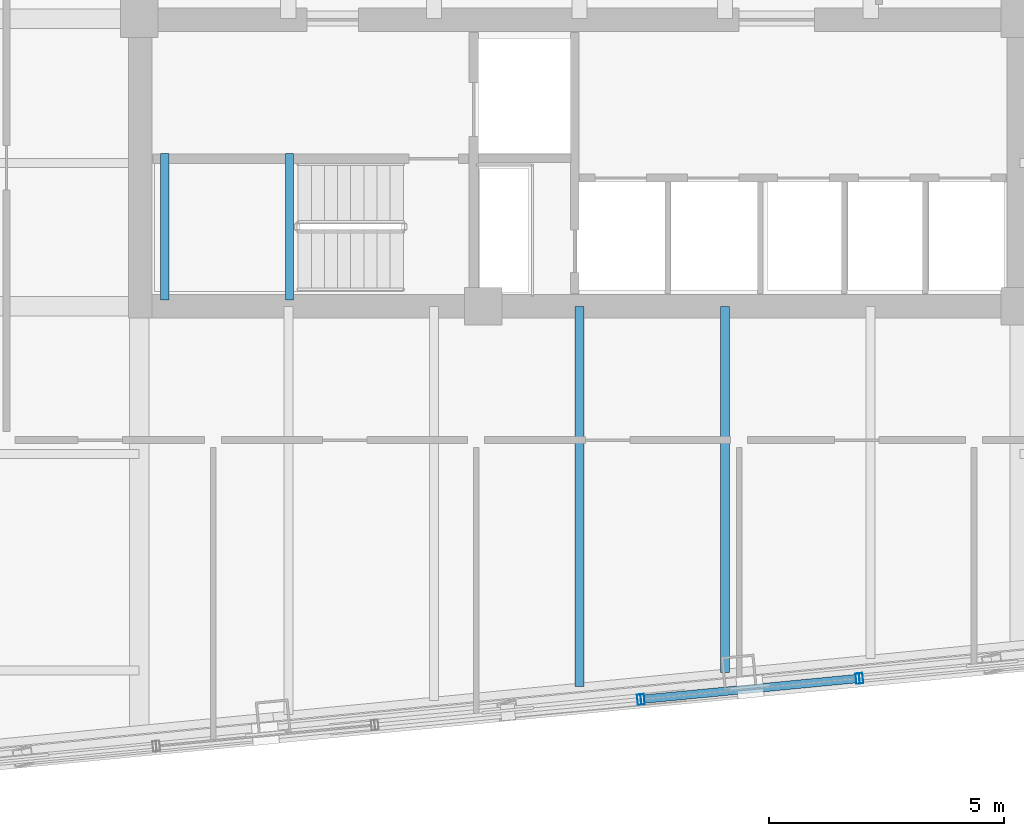
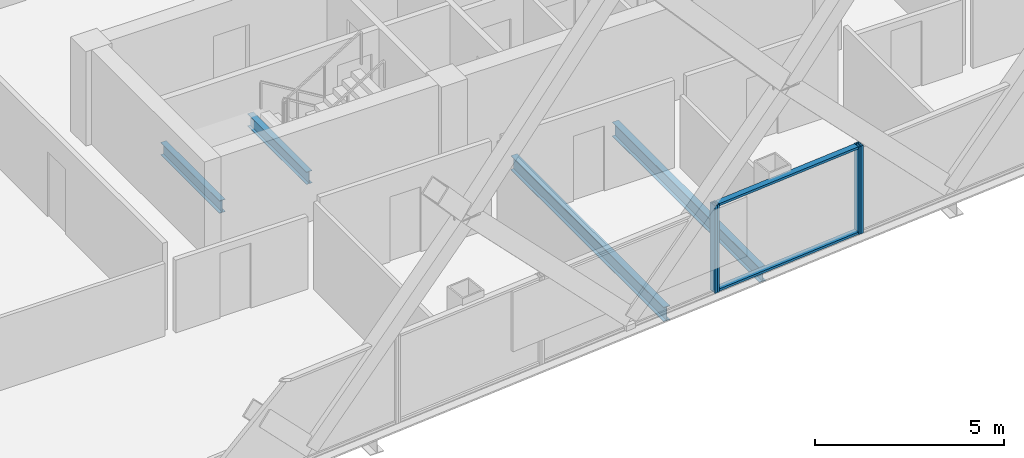
# One storey, part 7 of 34: 6 members, 4 beams, 3 elements without a shape of their own.
"""IFC4 building model written with IfcOpenShell, lengths in metres."""

from ifc_helpers import new_model, si_unit, direction, frame, origin, origin_2d, place, context, subcontext, project, spatial, hollow_rectangle, i_section, extrude, material, layer, layer_set, material_profile, profile_set, type_object, element, aggregate, save


model = new_model("IFC4")

# Units and contexts
model_context = context("Model", 3, precision=1e-05, world=origin(), true_north=direction((0.0, 1.0)))
body_context = subcontext(model_context, "Body", "Model", "MODEL_VIEW")
ifc_project = project(units=[si_unit("LENGTHUNIT", "METRE"), si_unit("AREAUNIT", "SQUARE_METRE"), si_unit("VOLUMEUNIT", "CUBIC_METRE"), si_unit("PLANEANGLEUNIT", "RADIAN"), si_unit("MASSUNIT", "GRAM", prefix="KILO")], contexts=[model_context])

# Site, building, storey
site_placement = place(None, origin())
site = spatial("IfcSite", under=ifc_project, at=site_placement, CompositionType="ELEMENT")
building_placement = place(site_placement, origin())
building = spatial("IfcBuilding", under=site, at=building_placement, Name="Qhalaya Broadcast Tower", CompositionType="ELEMENT")
storey_placement = place(building_placement, frame((0.0, 0.0, 168.35009765625)))
storey = spatial("IfcBuildingStorey", under=building, at=storey_placement, Name="L49", CompositionType="ELEMENT", Elevation=168.35009765625)

# Beams
ifc_material_1 = material(Name="Structural Steel ASTM A992 Grade 50", Category="steel")
ifc_material_profile_1 = material_profile(ifc_material_1, i_section(OverallWidth=0.19189453125, OverallDepth=0.462890625, WebThickness=0.010498046875, FlangeThickness=0.017578125, at=origin_2d()), Name="W18X60")
ifc_profile_set_1 = profile_set([ifc_material_profile_1], Name="Structural Steel ASTM A992 Grade 50")
beam_type_1 = type_object("IfcBeamType", Name="Composite Floor Joist J03", PredefinedType="JOIST", material=ifc_profile_set_1)
beam_1_placement = place(storey_placement, frame((0.0, -16.844482421875, -0.45166015625), z_axis=(0.0, 1.0, 0.0), x_axis=(-1.0, 0.0, 0.0)))
element("IfcBeam", 1, at=beam_1_placement, inside=storey, type_object=beam_type_1, Name="L49 J03 L49-JNS3-1", PredefinedType="JOIST", context=body_context, shape_type="SweptSolid", body=[
    extrude(i_section(OverallWidth=0.19189453125, OverallDepth=0.462890625, WebThickness=0.010498046875, FlangeThickness=0.017578125, at=origin_2d()), origin(), (0.0, 0.0, 1.0), 8.094482421875),
])
beam_2_placement = place(storey_placement, frame((3.10009765625, -16.546142578125, -0.45166015625), z_axis=(0.0, 1.0, 0.0), x_axis=(-1.0, 0.0, 0.0)))
element("IfcBeam", 2, at=beam_2_placement, inside=storey, type_object=beam_type_1, Name="L49 J03 L49-JNS4-1", PredefinedType="JOIST", context=body_context, shape_type="SweptSolid", body=[
    extrude(i_section(OverallWidth=0.19189453125, OverallDepth=0.462890625, WebThickness=0.010498046875, FlangeThickness=0.017578125, at=origin_2d()), origin(), (0.0, 0.0, 1.0), 7.796142578125),
])

# Curtain wall, member
ifc_material_2 = material(Name="Fired Architectural Terracotta", Category="masonry")
ifc_layer_1 = layer(ifc_material_2, 0.219970703125, Name="Fired Architectural Terracotta")
ifc_layer_set_1 = layer_set([ifc_layer_1], Name="Fired Architectural Terracotta")
curtain_wall_type_1 = type_object("IfcCurtainWallType", Name="Block-Cap Unitised Terracotta Spandrel Wall CW-07", PredefinedType="NOTDEFINED", material=ifc_layer_set_1)
curtain_wall_1_placement = place(storey_placement, origin())
curtain_wall_1 = element("IfcCurtainWall", 3, at=curtain_wall_1_placement, inside=storey, type_object=curtain_wall_type_1, Name="L49 Unitised Curtain Wall L49-CW-S3", PredefinedType="NOTDEFINED")
ifc_material_3 = material(Name="Anodised Aluminium 6063-T6", Category="aluminium")
ifc_material_profile_2 = material_profile(ifc_material_3, hollow_rectangle(XDim=0.074951171875, YDim=0.219970703125, WallThickness=0.00390625, at=origin_2d()), Name="ALU-MUL 75x220x4")
ifc_profile_set_2 = profile_set([ifc_material_profile_2], Name="Anodised Aluminium 6063-T6")
member_type_1 = type_object("IfcMemberType", Name="Unitised Curtain-Wall Mullion M01", PredefinedType="MULLION", material=ifc_profile_set_2)
member_1_placement = place(storey_placement, frame((1.271240234375, -17.1240234375, 0.0), z_axis=(0.0, 0.0, 1.0), x_axis=(0.995395435525, 0.095853674613, 0.0)))
member_1 = element("IfcMember", 4, at=member_1_placement, type_object=member_type_1, Name="CW-07 mullion 2", PredefinedType="MULLION", context=body_context, shape_type="SweptSolid", body=[
    extrude(hollow_rectangle(XDim=0.074951171875, YDim=0.219970703125, WallThickness=0.00390625, at=origin_2d()), origin(), (0.0, 0.0, 1.0), 2.829833984375),
])
aggregate(curtain_wall_1, [member_1])

# Curtain wall, members
ifc_material_4 = material(Name="Solar-Control Low-E Triple Glazing", Category="glass")
ifc_layer_2 = layer(ifc_material_4, 0.219970703125, Name="Solar-Control Low-E Triple Glazing")
ifc_layer_set_2 = layer_set([ifc_layer_2], Name="Solar-Control Low-E Triple Glazing")
curtain_wall_type_2 = type_object("IfcCurtainWallType", Name="Even-Block 4-Storey Double-Module Curtain Wall CW-03", PredefinedType="NOTDEFINED", material=ifc_layer_set_2)
curtain_wall_2_placement = place(storey_placement, origin())
curtain_wall_2 = element("IfcCurtainWall", 5, at=curtain_wall_2_placement, inside=storey, type_object=curtain_wall_type_2, Name="L49 Unitised Curtain Wall L49-CW-S4", PredefinedType="NOTDEFINED")
member_2_placement = place(storey_placement, frame((1.345947265625, -17.11669921875, 0.0), z_axis=(0.0, 0.0, 1.0), x_axis=(0.995395691478, 0.095851016624, 0.0)))
member_2 = element("IfcMember", 6, at=member_2_placement, type_object=member_type_1, Name="CW-03 mullion 1", PredefinedType="MULLION", context=body_context, shape_type="SweptSolid", body=[
    extrude(hollow_rectangle(XDim=0.074951171875, YDim=0.219970703125, WallThickness=0.00390625, at=origin_2d()), origin(), (0.0, 0.0, 1.0), 2.829833984375),
])
member_3_placement = place(storey_placement, frame((5.923583984375, -16.676025390625, 0.0), z_axis=(0.0, 0.0, 1.0), x_axis=(0.995395691478, 0.095851016624, 0.0)))
member_3 = element("IfcMember", 7, at=member_3_placement, type_object=member_type_1, Name="CW-03 mullion 2", PredefinedType="MULLION", context=body_context, shape_type="SweptSolid", body=[
    extrude(hollow_rectangle(XDim=0.074951171875, YDim=0.219970703125, WallThickness=0.00390625, at=origin_2d()), origin(), (0.0, 0.0, 1.0), 2.829833984375),
])

# Curtain wall, member
curtain_wall_3_placement = place(storey_placement, origin())
curtain_wall_3 = element("IfcCurtainWall", 8, at=curtain_wall_3_placement, inside=storey, type_object=curtain_wall_type_1, Name="L49 Unitised Curtain Wall L49-CW-S5", PredefinedType="NOTDEFINED")
member_4_placement = place(storey_placement, frame((5.998291015625, -16.668701171875, 0.0), z_axis=(0.0, 0.0, 1.0), x_axis=(0.99539669829, 0.095840560477, 0.0)))
member_4 = element("IfcMember", 9, at=member_4_placement, type_object=member_type_1, Name="CW-07 mullion 1", PredefinedType="MULLION", context=body_context, shape_type="SweptSolid", body=[
    extrude(hollow_rectangle(XDim=0.074951171875, YDim=0.219970703125, WallThickness=0.00390625, at=origin_2d()), origin(), (0.0, 0.0, 1.0), 2.829833984375),
])
aggregate(curtain_wall_3, [member_4])

# Member
ifc_material_profile_3 = material_profile(ifc_material_3, hollow_rectangle(XDim=0.074951171875, YDim=0.179931640625, WallThickness=0.00390625, at=origin_2d()), Name="ALU-TRN 75x180x4")
ifc_profile_set_3 = profile_set([ifc_material_profile_3], Name="Anodised Aluminium 6063-T6")
member_type_2 = type_object("IfcMemberType", Name="Unitised Curtain-Wall Transom T01", PredefinedType="USERDEFINED", material=ifc_profile_set_3)
member_5_placement = place(storey_placement, frame((1.38330078125, -17.11328125, 0.037353515625), z_axis=(0.995395967722, 0.095848147835, 0.0), x_axis=(0.0, 0.0, 1.0)))
member_5 = element("IfcMember", 10, at=member_5_placement, type_object=member_type_2, Name="CW-03 transom 1.1", ObjectType="TRANSOM", PredefinedType="USERDEFINED", context=body_context, shape_type="SweptSolid", body=[
    extrude(hollow_rectangle(XDim=0.074951171875, YDim=0.179931640625, WallThickness=0.00390625, at=origin_2d()), origin(), (0.0, 0.0, 1.0), 4.523681640625),
])

member_6_placement = place(storey_placement, frame((1.38330078125, -17.11328125, 2.79248046875), z_axis=(0.995395967722, 0.095848147835, 0.0), x_axis=(0.0, 0.0, 1.0)))
member_6 = element("IfcMember", 11, at=member_6_placement, type_object=member_type_2, Name="CW-03 transom 1.2", ObjectType="TRANSOM", PredefinedType="USERDEFINED", context=body_context, shape_type="SweptSolid", body=[
    extrude(hollow_rectangle(XDim=0.074951171875, YDim=0.179931640625, WallThickness=0.00390625, at=origin_2d()), origin(), (0.0, 0.0, 1.0), 4.523681640625),
])

aggregate(curtain_wall_2, [member_2, member_3, member_5, member_6])

# Beams
ifc_material_profile_4 = material_profile(ifc_material_1, i_section(OverallWidth=0.177978515625, OverallDepth=0.406005859375, WebThickness=0.0078125, FlangeThickness=0.0126953125, at=origin_2d()), Name="W16X40")
ifc_profile_set_4 = profile_set([ifc_material_profile_4], Name="Structural Steel ASTM A992 Grade 50")
beam_type_2 = type_object("IfcBeamType", Name="Upper Perimeter Spandrel Beam SP2", PredefinedType="SPANDREL", material=ifc_profile_set_4)
for number, where, z_axis, x_axis, name in (
    (12, (-8.830078125, -8.6201171875, 1.121826171875), (0.0, 1.0, 0.0), (-1.0, 0.0, 0.0), "L49 ST-2 Half-Landing Bearer Beam 1"),
    (13, (-6.175048828125, -8.6201171875, 1.121826171875), (0.0, 1.0, 0.0), (-1.0, 0.0, 0.0), "L49 ST-2 Half-Landing Bearer Beam 2"),
):
    element("IfcBeam", number, at=place(storey_placement, frame(where, z_axis=z_axis, x_axis=x_axis)), inside=storey, type_object=beam_type_2, Name=name, PredefinedType="SPANDREL", context=body_context, shape_type="SweptSolid", body=[
        extrude(i_section(OverallWidth=0.177978515625, OverallDepth=0.406005859375, WebThickness=0.0078125, FlangeThickness=0.0126953125, at=origin_2d()), origin(), (0.0, 0.0, 1.0), 3.1201171875),
    ])

save(model, "model.ifc")
